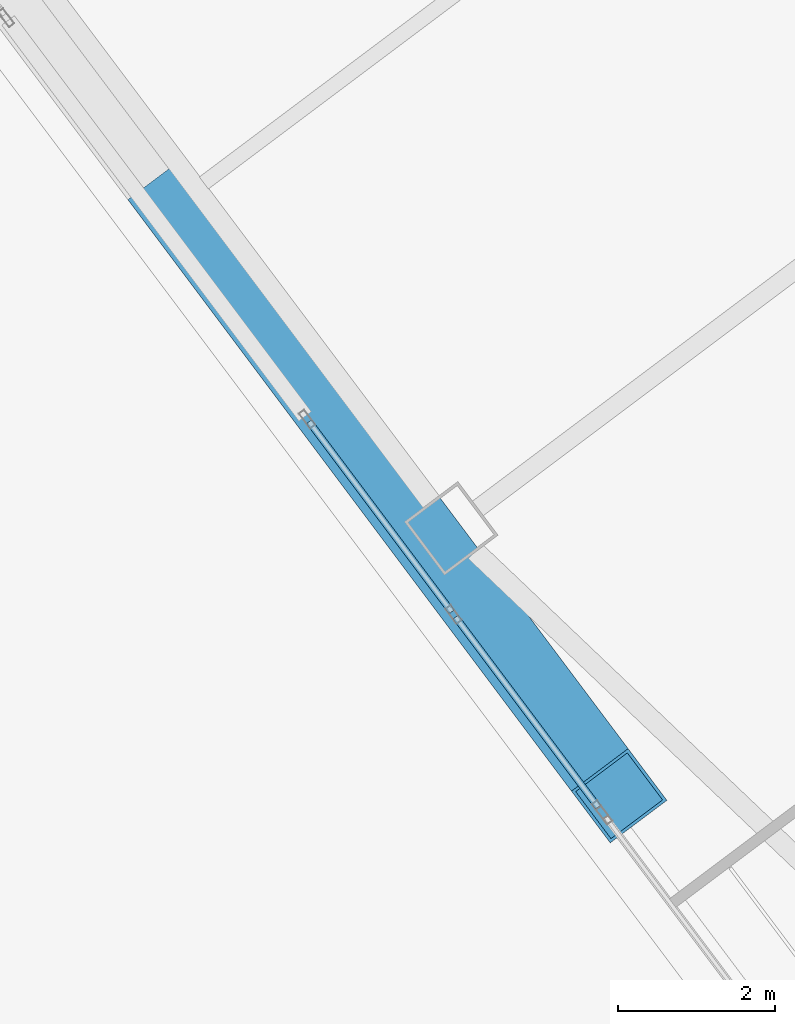
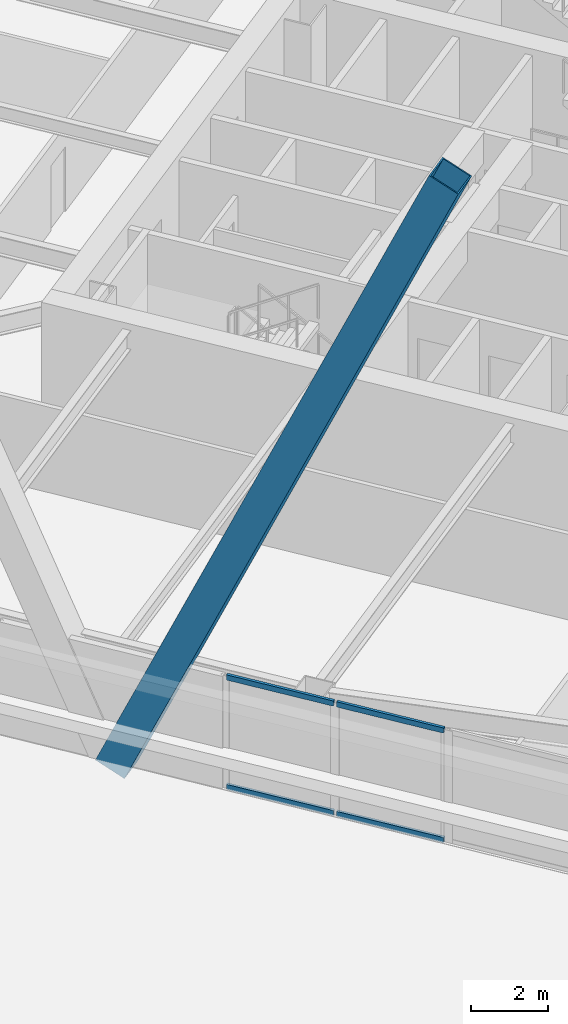
# One storey, part 33 of 83: 5 members, 1 element without a shape of its own.
"""IFC4 building model written with IfcOpenShell, lengths in metres."""

from ifc_helpers import new_model, si_unit, direction, frame, origin, origin_2d, place, context, subcontext, project, spatial, hollow_rectangle, extrude, material, material_profile, profile_set, type_object, element, aggregate, save


model = new_model("IFC4")

# Units and contexts
model_context = context("Model", 3, precision=1e-05, world=origin(), true_north=direction((0.0, 1.0)))
body_context = subcontext(model_context, "Body", "Model", "MODEL_VIEW")
ifc_project = project(units=[si_unit("LENGTHUNIT", "METRE"), si_unit("AREAUNIT", "SQUARE_METRE"), si_unit("VOLUMEUNIT", "CUBIC_METRE"), si_unit("PLANEANGLEUNIT", "RADIAN"), si_unit("MASSUNIT", "GRAM", prefix="KILO")], contexts=[model_context])

# Site, building, storey
site_placement = place(None, origin())
site = spatial("IfcSite", under=ifc_project, at=site_placement, CompositionType="ELEMENT")
building_placement = place(site_placement, origin())
building = spatial("IfcBuilding", under=site, at=building_placement, Name="Tashvorn Skyway Center", CompositionType="ELEMENT")
storey_placement = place(building_placement, frame((0.0, 0.0, 24.60009765625)))
storey = spatial("IfcBuildingStorey", under=building, at=storey_placement, Name="L05", CompositionType="ELEMENT", Elevation=24.60009765625)

# Curtain wall, members
ifc_material_1 = material(Name="Thermally broken bronze-anodized aluminium 6063-T6", Category="aluminium")
curtain_wall_type = type_object("IfcCurtainWallType", Name="CW-CW-Z1", PredefinedType="NOTDEFINED", material=ifc_material_1)
curtain_wall_placement = place(storey_placement, origin())
curtain_wall = element("IfcCurtainWall", 1, at=curtain_wall_placement, inside=storey, type_object=curtain_wall_type, Name="Tower 2 L05 West Unitised Curtain Wall Glazing Group 2", PredefinedType="NOTDEFINED")
ifc_material_profile_1 = material_profile(ifc_material_1, hollow_rectangle(XDim=0.0849609375, YDim=0.1650390625, WallThickness=0.0048828125, at=origin_2d()), Name="ALU-TRAN-85x165")
ifc_profile_set_1 = profile_set([ifc_material_profile_1], Name="Thermally broken bronze-anodized aluminium 6063-T6")
member_type_1 = type_object("IfcMemberType", Name="CWT-CW-Z1", PredefinedType="USERDEFINED", material=ifc_profile_set_1)
member_1_placement = place(storey_placement, frame((102.26904296875, 11.508056640625, 0.04248046875), z_axis=(-0.600012938206, 0.799990296182, 0.0), x_axis=(-0.799990296182, -0.600012938206, 0.0)))
member_1 = element("IfcMember", 2, at=member_1_placement, type_object=member_type_1, Name="CW-Z1 transom 1.1", ObjectType="TRANSOM", PredefinedType="USERDEFINED", context=body_context, shape_type="SweptSolid", body=[
    extrude(hollow_rectangle(XDim=0.0849609375, YDim=0.1650390625, WallThickness=0.0048828125, at=origin_2d()), origin(), (0.0, 0.0, 1.0), 3.01904296875),
])
member_2_placement = place(storey_placement, frame((102.26904296875, 11.508056640625, 3.50732421875), z_axis=(-0.600012938206, 0.799990296182, 0.0), x_axis=(-0.799990296182, -0.600012938206, 0.0)))
member_2 = element("IfcMember", 3, at=member_2_placement, type_object=member_type_1, Name="CW-Z1 transom 1.2", ObjectType="TRANSOM", PredefinedType="USERDEFINED", context=body_context, shape_type="SweptSolid", body=[
    extrude(hollow_rectangle(XDim=0.0849609375, YDim=0.1650390625, WallThickness=0.0048828125, at=origin_2d()), origin(), (0.0, 0.0, 1.0), 3.01904296875),
])
member_3_placement = place(storey_placement, frame((100.406494140625, 13.991455078125, 0.04248046875), z_axis=(-0.600012938206, 0.799990296182, 0.0), x_axis=(-0.799990296182, -0.600012938206, 0.0)))
member_3 = element("IfcMember", 4, at=member_3_placement, type_object=member_type_1, Name="CW-Z1 transom 2.1", ObjectType="TRANSOM", PredefinedType="USERDEFINED", context=body_context, shape_type="SweptSolid", body=[
    extrude(hollow_rectangle(XDim=0.0849609375, YDim=0.1650390625, WallThickness=0.0048828125, at=origin_2d()), origin(), (0.0, 0.0, 1.0), 3.01904296875),
])
member_4_placement = place(storey_placement, frame((100.406494140625, 13.991455078125, 3.50732421875), z_axis=(-0.600012938206, 0.799990296182, 0.0), x_axis=(-0.799990296182, -0.600012938206, 0.0)))
member_4 = element("IfcMember", 5, at=member_4_placement, type_object=member_type_1, Name="CW-Z1 transom 2.2", ObjectType="TRANSOM", PredefinedType="USERDEFINED", context=body_context, shape_type="SweptSolid", body=[
    extrude(hollow_rectangle(XDim=0.0849609375, YDim=0.1650390625, WallThickness=0.0048828125, at=origin_2d()), origin(), (0.0, 0.0, 1.0), 3.01904296875),
])
aggregate(curtain_wall, [member_1, member_2, member_3, member_4])

# Member
ifc_material_2 = material(Name="Steel ASTM A572 Grade 50", Category="steel")
ifc_material_profile_2 = material_profile(ifc_material_2, hollow_rectangle(XDim=0.89990234375, YDim=0.89990234375, WallThickness=0.0400390625, at=origin_2d()), Name="BOX900x900x40")
ifc_profile_set_2 = profile_set([ifc_material_profile_2], Name="Steel ASTM A572 Grade 50")
member_type_2 = type_object("IfcMemberType", Name="MEM-MB-900", PredefinedType="BRACE", material=ifc_profile_set_2)
member_5_placement = place(storey_placement, frame((96.89599609375, 19.172119140625, -0.22021484375), z_axis=(0.244449863725, -0.325940206158, 0.913239971822), x_axis=(0.800006233367, 0.599991688754, 0.0)))
element("IfcMember", 6, at=member_5_placement, inside=storey, type_object=member_type_2, Name="Tower 2 Zone 1 W Chevron Mega-Brace R1", PredefinedType="BRACE", context=body_context, shape_type="SweptSolid", body=[
    extrude(hollow_rectangle(XDim=0.89990234375, YDim=0.89990234375, WallThickness=0.0400390625, at=origin_2d()), origin(), (0.0, 0.0, 1.0), 23.07177734375),
])

save(model, "model.ifc")
